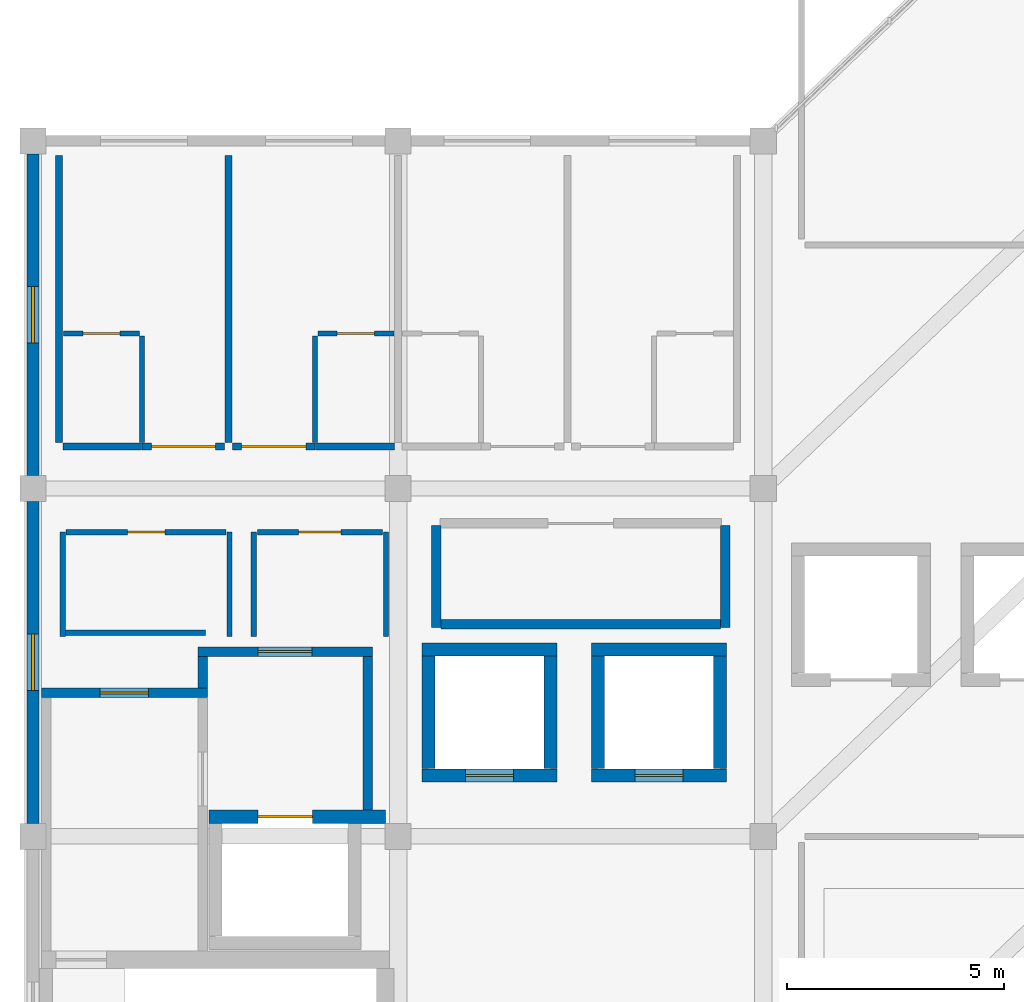
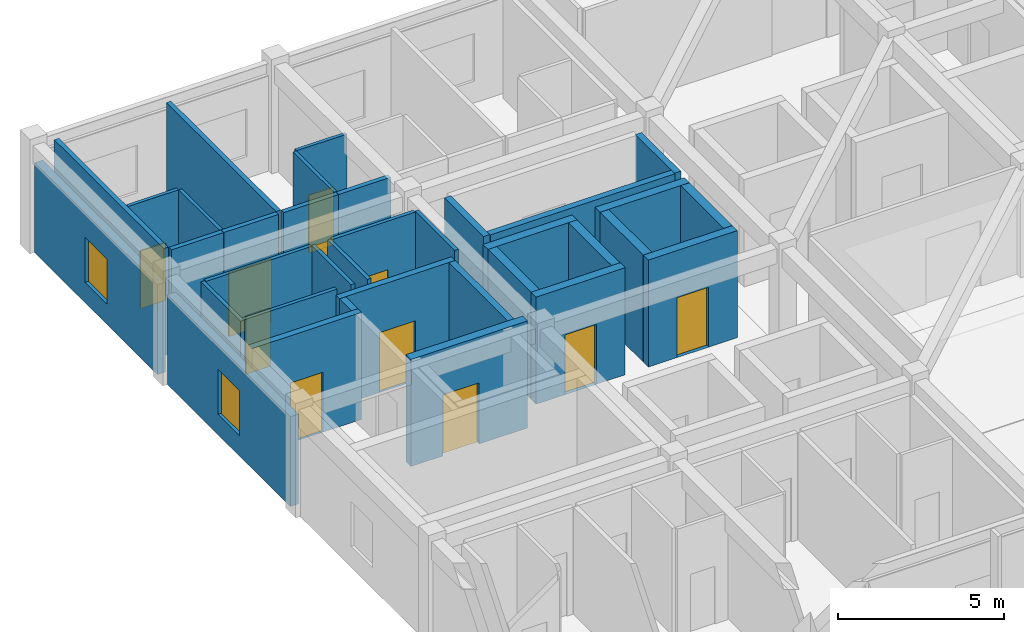
# One storey, part 8 of 11: 35 walls, 11 doors, 2 windows, 13 openings.
"""IFC4 building model written with IfcOpenShell, lengths in metres."""

from ifc_helpers import new_model, si_unit, direction, frame, frame_2d, origin, place, context, subcontext, project, spatial, rectangle, extrude, material, layer, layer_set, type_object, element, fill, save


model = new_model("IFC4")

# Units and contexts
model_context = context("Model", 3, precision=1e-05, world=origin(), true_north=direction((0.0, 1.0)))
body_context = subcontext(model_context, "Body", "Model", "MODEL_VIEW")
ifc_project = project(units=[si_unit("LENGTHUNIT", "METRE"), si_unit("AREAUNIT", "SQUARE_METRE"), si_unit("VOLUMEUNIT", "CUBIC_METRE"), si_unit("PLANEANGLEUNIT", "RADIAN"), si_unit("MASSUNIT", "GRAM", prefix="KILO")], contexts=[model_context])

# Site, building, storey
site_placement = place(None, origin())
site = spatial("IfcSite", under=ifc_project, at=site_placement, CompositionType="ELEMENT")
building_placement = place(site_placement, origin())
building = spatial("IfcBuilding", under=site, at=building_placement, Name="Naruveol Harbour Congress Hotel", CompositionType="ELEMENT")
storey_placement = place(building_placement, frame((0.0, 0.0, 47.39990234375)))
storey = spatial("IfcBuildingStorey", under=building, at=storey_placement, Name="L11", CompositionType="ELEMENT", Elevation=47.39990234375)

# Wall, opening, window
ifc_material_1 = material(Name="Precast concrete C40/50", Category="concrete")
ifc_layer_1 = layer(ifc_material_1, 0.280029296875)
ifc_layer_set_1 = layer_set([ifc_layer_1], Name="Precast concrete C40/50")
wall_type_1 = type_object("IfcWallType", Name="ARCHITECTURAL PRECAST FACADE WALL 280", PredefinedType="SOLIDWALL", material=ifc_layer_set_1)
wall_1_placement = place(storey_placement, frame((126.0, 16.300048828125, 0.0), z_axis=(0.0, 0.0, 1.0), x_axis=(0.0, 1.0, 0.0)))
wall_1 = element("IfcWall", 1, at=wall_1_placement, inside=storey, type_object=wall_type_1, Name="Hotel west gable wall L11 EW-280", PredefinedType="SOLIDWALL", context=body_context, shape_type="SweptSolid", body=[
    extrude(rectangle(XDim=7.39990234375, YDim=0.280029296875, at=frame_2d((3.699951171875, 0.0))), origin(), (0.0, 0.0, 1.0), 3.300048828125),
])
opening_1_placement = place(wall_1_placement, frame((3.050048828125, 0.0, 0.75)))
opening_1 = element("IfcOpeningElement", 2, at=opening_1_placement, cuts=wall_1, Name="Opening W-27", PredefinedType="OPENING", context=body_context, shape_type="SweptSolid", body=[
    extrude(rectangle(XDim=1.300048828125, YDim=1.64990234375, at=frame_2d((0.64990234375, 0.824951171875))), frame((0.0, 0.14990234375, 0.0), z_axis=(0.0, -1.0, 0.0), x_axis=(1.0, 0.0, 0.0)), (0.0, 0.0, 1.0), 0.300048828125),
])
ifc_material_2 = material(Name="Low-E Triple Glazing in Thermal Aluminium", Category="aluminium")
window_type = type_object("IfcWindowType", Name="READING SALON TALL WINDOW 1300X1650", PartitioningType="SINGLE_PANEL", PredefinedType="WINDOW", material=ifc_material_2)
window_1_placement = place(opening_1_placement, origin())
window_1 = element("IfcWindow", 3, at=window_1_placement, inside=storey, type_object=window_type, Name="Window W-27 #516", OverallHeight=1.64990234375, OverallWidth=1.300048828125, PartitioningType="SINGLE_PANEL", PredefinedType="WINDOW", context=body_context, shape_type="SweptSolid", body=[
    extrude(rectangle(XDim=1.300048828125, YDim=1.64990234375, at=frame_2d((0.64990234375, 0.824951171875))), frame((0.0, 0.030029296875, 0.0), z_axis=(0.0, -1.0, 0.0), x_axis=(1.0, 0.0, 0.0)), (0.0, 0.0, 1.0), 0.06005859375),
])
fill(opening_1, window_1)

wall_2_placement = place(storey_placement, frame((126.0, 24.300048828125, 0.0), z_axis=(0.0, 0.0, 1.0), x_axis=(0.0, 1.0, 0.0)))
wall_2 = element("IfcWall", 4, at=wall_2_placement, inside=storey, type_object=wall_type_1, Name="Hotel west gable wall L11 EW-280", PredefinedType="SOLIDWALL", context=body_context, shape_type="SweptSolid", body=[
    extrude(rectangle(XDim=7.39990234375, YDim=0.280029296875, at=frame_2d((3.699951171875, 0.0))), origin(), (0.0, 0.0, 1.0), 3.300048828125),
])
opening_2_placement = place(wall_2_placement, frame((3.050048828125, 0.0, 0.75)))
opening_2 = element("IfcOpeningElement", 5, at=opening_2_placement, cuts=wall_2, Name="Opening W-27", PredefinedType="OPENING", context=body_context, shape_type="SweptSolid", body=[
    extrude(rectangle(XDim=1.300048828125, YDim=1.64990234375, at=frame_2d((0.64990234375, 0.824951171875))), frame((0.0, 0.14990234375, 0.0), z_axis=(0.0, -1.0, 0.0), x_axis=(1.0, 0.0, 0.0)), (0.0, 0.0, 1.0), 0.300048828125),
])
window_2_placement = place(opening_2_placement, origin())
window_2 = element("IfcWindow", 6, at=window_2_placement, inside=storey, type_object=window_type, Name="Window W-27 #517", OverallHeight=1.64990234375, OverallWidth=1.300048828125, PartitioningType="SINGLE_PANEL", PredefinedType="WINDOW", context=body_context, shape_type="SweptSolid", body=[
    extrude(rectangle(XDim=1.300048828125, YDim=1.64990234375, at=frame_2d((0.64990234375, 0.824951171875))), frame((0.0, 0.030029296875, 0.0), z_axis=(0.0, -1.0, 0.0), x_axis=(1.0, 0.0, 0.0)), (0.0, 0.0, 1.0), 0.06005859375),
])
fill(opening_2, window_2)

# Wall
ifc_material_3 = material(Name="Moisture-Resistant Gypsum Partition", Category="gypsum")
ifc_layer_2 = layer(ifc_material_3, 0.114990234375)
ifc_layer_set_2 = layer_set([ifc_layer_2], Name="Moisture-Resistant Gypsum Partition")
wall_type_2 = type_object("IfcWallType", Name="BATHROOM MOISTURE PARTITION WALL 115", PredefinedType="PARTITIONING", material=ifc_layer_set_2)
wall_3_placement = place(storey_placement, frame((128.510009765625, 25.06005859375, 0.0), z_axis=(0.0, 0.0, 1.0), x_axis=(0.0, 1.0, 0.0)))
element("IfcWall", 7, at=wall_3_placement, inside=storey, type_object=wall_type_2, Name="Bathroom east wall 1209 PW-115", PredefinedType="PARTITIONING", context=body_context, shape_type="SweptSolid", body=[
    extrude(rectangle(XDim=2.449951171875, YDim=0.114990234375, at=frame_2d((1.22509765625, 0.0))), origin(), (0.0, 0.0, 1.0), 3.93505859375),
])

# Wall, opening, door
wall_4_placement = place(storey_placement, frame((126.699951171875, 27.570068359375, 0.0), z_axis=(0.0, 0.0, 1.0), x_axis=(1.0, 0.0, 0.0)))
wall_4 = element("IfcWall", 8, at=wall_4_placement, inside=storey, type_object=wall_type_2, Name="Bathroom north wall 1209 PW-115", PredefinedType="PARTITIONING", context=body_context, shape_type="SweptSolid", body=[
    extrude(rectangle(XDim=1.75, YDim=0.114990234375, at=frame_2d((0.875, 0.0))), origin(), (0.0, 0.0, 1.0), 3.93505859375),
])
opening_3_placement = place(wall_4_placement, frame((0.445068359375, 0.0, 0.0)))
opening_3 = element("IfcOpeningElement", 9, at=opening_3_placement, cuts=wall_4, Name="Opening BD-RM1209", PredefinedType="OPENING", context=body_context, shape_type="SweptSolid", body=[
    extrude(rectangle(XDim=0.860107421875, YDim=2.1201171875, at=frame_2d((0.43017578125, 1.06005859375))), frame((0.0, 0.0673828125, 0.0), z_axis=(0.0, -1.0, 0.0), x_axis=(1.0, 0.0, 0.0)), (0.0, 0.0, 1.0), 0.135009765625),
])
ifc_material_4 = material(Name="Timber & Steel Acoustic Leaf", Category="steel")
door_type_1 = type_object("IfcDoorType", Name="GUEST BATHROOM DOOR 860X2120", OperationType="NOTDEFINED", PredefinedType="DOOR", material=ifc_material_4)
door_1_placement = place(opening_3_placement, origin())
door_1 = element("IfcDoor", 10, at=door_1_placement, inside=storey, type_object=door_type_1, Name="Bathroom Door 1209", OperationType="SINGLE_SWING_LEFT", OverallHeight=2.1201171875, OverallWidth=0.860107421875, PredefinedType="DOOR", context=body_context, shape_type="SweptSolid", body=[
    extrude(rectangle(XDim=0.860107421875, YDim=2.1201171875, at=frame_2d((0.43017578125, 1.06005859375))), frame((0.0, 0.02490234375, 0.0), z_axis=(0.0, -1.0, 0.0), x_axis=(1.0, 0.0, 0.0)), (0.0, 0.0, 1.0), 0.050048828125),
])
fill(opening_3, door_1)

# Wall
wall_5_placement = place(storey_placement, frame((132.489990234375, 25.06005859375, 0.0), z_axis=(0.0, 0.0, 1.0), x_axis=(0.0, 1.0, 0.0)))
element("IfcWall", 11, at=wall_5_placement, inside=storey, type_object=wall_type_2, Name="Bathroom west wall 1210 PW-115", PredefinedType="PARTITIONING", context=body_context, shape_type="SweptSolid", body=[
    extrude(rectangle(XDim=2.449951171875, YDim=0.114990234375, at=frame_2d((1.22509765625, 0.0))), origin(), (0.0, 0.0, 1.0), 3.93505859375),
])

# Wall, opening, door
wall_6_placement = place(storey_placement, frame((132.550048828125, 27.570068359375, 0.0), z_axis=(0.0, 0.0, 1.0), x_axis=(1.0, 0.0, 0.0)))
wall_6 = element("IfcWall", 12, at=wall_6_placement, inside=storey, type_object=wall_type_2, Name="Bathroom north wall 1210 PW-115", PredefinedType="PARTITIONING", context=body_context, shape_type="SweptSolid", body=[
    extrude(rectangle(XDim=1.75, YDim=0.114990234375, at=frame_2d((0.875, 0.0))), origin(), (0.0, 0.0, 1.0), 3.93505859375),
])
opening_4_placement = place(wall_6_placement, frame((0.445068359375, 0.0, 0.0)))
opening_4 = element("IfcOpeningElement", 13, at=opening_4_placement, cuts=wall_6, Name="Opening BD-RM1210", PredefinedType="OPENING", context=body_context, shape_type="SweptSolid", body=[
    extrude(rectangle(XDim=0.860107421875, YDim=2.1201171875, at=frame_2d((0.43017578125, 1.06005859375))), frame((0.0, 0.0673828125, 0.0), z_axis=(0.0, -1.0, 0.0), x_axis=(1.0, 0.0, 0.0)), (0.0, 0.0, 1.0), 0.135009765625),
])
door_2_placement = place(opening_4_placement, origin())
door_2 = element("IfcDoor", 14, at=door_2_placement, inside=storey, type_object=door_type_1, Name="Bathroom Door 1210", OperationType="SINGLE_SWING_RIGHT", OverallHeight=2.1201171875, OverallWidth=0.860107421875, PredefinedType="DOOR", context=body_context, shape_type="SweptSolid", body=[
    extrude(rectangle(XDim=0.860107421875, YDim=2.1201171875, at=frame_2d((0.43017578125, 1.06005859375))), frame((0.0, 0.02490234375, 0.0), z_axis=(0.0, -1.0, 0.0), x_axis=(1.0, 0.0, 0.0)), (0.0, 0.0, 1.0), 0.050048828125),
])
fill(opening_4, door_2)

ifc_material_5 = material(Name="Concrete C40/50", Category="concrete")
ifc_layer_3 = layer(ifc_material_5, 0.219970703125)
ifc_layer_set_3 = layer_set([ifc_layer_3], Name="Concrete C40/50")
wall_type_3 = type_object("IfcWallType", Name="FIRE COMPARTMENT AND LOBBY WALL 220 EI120", PredefinedType="PARTITIONING", material=ifc_layer_set_3)
wall_7_placement = place(storey_placement, frame((126.18994140625, 19.300048828125, 0.0), z_axis=(0.0, 0.0, 1.0), x_axis=(1.0, 0.0, 0.0)))
wall_7 = element("IfcWall", 15, at=wall_7_placement, inside=storey, type_object=wall_type_3, Name="Smoke vestibule ST1 north wall FW-220", PredefinedType="PARTITIONING", context=body_context, shape_type="SweptSolid", body=[
    extrude(rectangle(XDim=3.820068359375, YDim=0.219970703125, at=frame_2d((1.91015625, 0.0))), origin(), (0.0, 0.0, 1.0), 3.93505859375),
])
opening_5_placement = place(wall_7_placement, frame((1.35009765625, 0.0, 0.0)))
opening_5 = element("IfcOpeningElement", 16, at=opening_5_placement, cuts=wall_7, Name="Opening FD-ST1-V-L11", PredefinedType="OPENING", context=body_context, shape_type="SweptSolid", body=[
    extrude(rectangle(XDim=1.1201171875, YDim=2.199951171875, at=frame_2d((0.56005859375, 1.10009765625))), frame((0.0, 0.119873046875, 0.0), z_axis=(0.0, -1.0, 0.0), x_axis=(1.0, 0.0, 0.0)), (0.0, 0.0, 1.0), 0.239990234375),
])
ifc_material_6 = material(Name="Timber & Steel Acoustic Leaf", Category="steel")
door_type_2 = type_object("IfcDoorType", Name="VESTIBULE SMOKE CONTROL FIRE DOOR 1120X2200", OperationType="NOTDEFINED", PredefinedType="DOOR", material=ifc_material_6)
door_3_placement = place(opening_5_placement, origin())
door_3 = element("IfcDoor", 17, at=door_3_placement, inside=storey, type_object=door_type_2, Name="Smoke Vestibule Entry Door ST1 L11", OperationType="SINGLE_SWING_LEFT", OverallHeight=2.199951171875, OverallWidth=1.1201171875, PredefinedType="DOOR", context=body_context, shape_type="SweptSolid", body=[
    extrude(rectangle(XDim=1.1201171875, YDim=2.199951171875, at=frame_2d((0.56005859375, 1.10009765625))), frame((0.0, 0.02490234375, 0.0), z_axis=(0.0, -1.0, 0.0), x_axis=(1.0, 0.0, 0.0)), (0.0, 0.0, 1.0), 0.050048828125),
])
fill(opening_5, door_3)

# Walls
wall_8_placement = place(storey_placement, frame((129.89990234375, 19.4150390625, 0.0), z_axis=(0.0, 0.0, 1.0), x_axis=(0.0, 1.0, 0.0)))
element("IfcWall", 18, at=wall_8_placement, inside=storey, type_object=wall_type_3, Name="Firefighting lift lobby ST1 upper west wall FW-220", PredefinedType="PARTITIONING", context=body_context, shape_type="SweptSolid", body=[
    extrude(rectangle(XDim=0.719970703125, YDim=0.219970703125, at=frame_2d((0.35986328125, 0.0))), origin(), (0.0, 0.0, 1.0), 3.93505859375),
])
wall_9_placement = place(storey_placement, frame((133.699951171875, 16.60498046875, 0.0), z_axis=(0.0, 0.0, 1.0), x_axis=(0.0, 1.0, 0.0)))
element("IfcWall", 19, at=wall_9_placement, inside=storey, type_object=wall_type_3, Name="Firefighting lift lobby ST1 east wall FW-220", PredefinedType="PARTITIONING", context=body_context, shape_type="SweptSolid", body=[
    extrude(rectangle(XDim=3.530029296875, YDim=0.219970703125, at=frame_2d((1.76513671875, 0.0))), origin(), (0.0, 0.0, 1.0), 3.93505859375),
])

# Wall, opening, door
wall_10_placement = place(storey_placement, frame((129.7900390625, 20.25, 0.0), z_axis=(0.0, 0.0, 1.0), x_axis=(1.0, 0.0, 0.0)))
wall_10 = element("IfcWall", 20, at=wall_10_placement, inside=storey, type_object=wall_type_3, Name="Firefighting lift lobby ST1 north wall FW-220", PredefinedType="PARTITIONING", context=body_context, shape_type="SweptSolid", body=[
    extrude(rectangle(XDim=4.02001953125, YDim=0.219970703125, at=frame_2d((2.010009765625, 0.0))), origin(), (0.0, 0.0, 1.0), 3.93505859375),
])
opening_6_placement = place(wall_10_placement, frame((1.389892578125, 0.0, 0.0)))
opening_6 = element("IfcOpeningElement", 21, at=opening_6_placement, cuts=wall_10, Name="Opening FD-FFC-ST1-L11", PredefinedType="OPENING", context=body_context, shape_type="SweptSolid", body=[
    extrude(rectangle(XDim=1.239990234375, YDim=2.199951171875, at=frame_2d((0.6201171875, 1.10009765625))), frame((0.0, 0.119873046875, 0.0), z_axis=(0.0, -1.0, 0.0), x_axis=(1.0, 0.0, 0.0)), (0.0, 0.0, 1.0), 0.239990234375),
])
ifc_material_7 = material(Name="Timber & Steel Acoustic Leaf", Category="steel")
door_type_3 = type_object("IfcDoorType", Name="FIREFIGHTING LOBBY FIRE DOOR 1240X2200", OperationType="NOTDEFINED", PredefinedType="DOOR", material=ifc_material_7)
door_4_placement = place(opening_6_placement, origin())
door_4 = element("IfcDoor", 22, at=door_4_placement, inside=storey, type_object=door_type_3, Name="Firefighting Lobby Corridor Door ST1 L11", OperationType="SINGLE_SWING_LEFT", OverallHeight=2.199951171875, OverallWidth=1.239990234375, PredefinedType="DOOR", context=body_context, shape_type="SweptSolid", body=[
    extrude(rectangle(XDim=1.239990234375, YDim=2.199951171875, at=frame_2d((0.6201171875, 1.10009765625))), frame((0.0, 0.02490234375, 0.0), z_axis=(0.0, -1.0, 0.0), x_axis=(1.0, 0.0, 0.0)), (0.0, 0.0, 1.0), 0.050048828125),
])
fill(opening_6, door_4)

# Walls
for number, where, z_axis, x_axis, name in (
    (23, (135.280029296875, 20.800048828125, 0.0), (0.0, 0.0, 1.0), (0.0, 1.0, 0.0), "Sky Culinary Show Kitchen west enclosure partition FW-220"),
    (24, (141.919921875, 20.800048828125, 0.0), (0.0, 0.0, 1.0), (0.0, 1.0, 0.0), "Sky Culinary Show Kitchen east enclosure partition FW-220"),
):
    element("IfcWall", number, at=place(storey_placement, frame(where, z_axis=z_axis, x_axis=x_axis)), inside=storey, type_object=wall_type_3, Name=name, PredefinedType="PARTITIONING", context=body_context, shape_type="SweptSolid", body=[
        extrude(rectangle(XDim=2.347900390625, YDim=0.219970703125, at=frame_2d((1.173828125, 0.0))), origin(), (0.0, 0.0, 1.0), 3.93505859375),
    ])
wall_11_placement = place(storey_placement, frame((135.389892578125, 20.8798828125, 0.0), z_axis=(0.0, 0.0, 1.0), x_axis=(1.0, 0.0, 0.0)))
element("IfcWall", 25, at=wall_11_placement, inside=storey, type_object=wall_type_3, Name="Sky Culinary Show Kitchen south enclosure partition FW-220", PredefinedType="PARTITIONING", context=body_context, shape_type="SweptSolid", body=[
    extrude(rectangle(XDim=6.420166015625, YDim=0.219970703125, at=frame_2d((3.2099609375, 0.0))), origin(), (0.0, 0.0, 1.0), 3.93505859375),
])
ifc_material_8 = material(Name="Autoclaved Aerated Concrete Block", Category="concrete")
ifc_layer_4 = layer(ifc_material_8, 0.159912109375)
ifc_layer_set_4 = layer_set([ifc_layer_4], Name="Autoclaved Aerated Concrete Block")
wall_type_4 = type_object("IfcWallType", Name="HOTEL PARTY AND CORRIDOR WALL 160 EI60", PredefinedType="PARTITIONING", material=ifc_layer_set_4)
wall_12_placement = place(storey_placement, frame((126.68994140625, 24.969970703125, 0.0), z_axis=(0.0, 0.0, 1.0), x_axis=(1.0, 0.0, 0.0)))
element("IfcWall", 26, at=wall_12_placement, inside=storey, type_object=wall_type_4, Name="Corridor wall 1209B PW-160", PredefinedType="PARTITIONING", context=body_context, shape_type="SweptSolid", body=[
    extrude(rectangle(XDim=1.81005859375, YDim=0.159912109375, at=frame_2d((0.905029296875, 0.0))), origin(), (0.0, 0.0, 1.0), 3.93505859375),
])

# Wall, opening, door
wall_13_placement = place(storey_placement, frame((128.510009765625, 24.969970703125, 0.0), z_axis=(0.0, 0.0, 1.0), x_axis=(1.0, 0.0, 0.0)))
wall_13 = element("IfcWall", 27, at=wall_13_placement, inside=storey, type_object=wall_type_4, Name="Corridor entry wall 1209 PW-160", PredefinedType="PARTITIONING", context=body_context, shape_type="SweptSolid", body=[
    extrude(rectangle(XDim=1.89990234375, YDim=0.159912109375, at=frame_2d((0.949951171875, 0.0))), origin(), (0.0, 0.0, 1.0), 3.93505859375),
])
opening_7_placement = place(wall_13_placement, frame((0.2099609375, 0.0, 0.0)))
opening_7 = element("IfcOpeningElement", 28, at=opening_7_placement, cuts=wall_13, Name="Opening FD-RM1209", PredefinedType="OPENING", context=body_context, shape_type="SweptSolid", body=[
    extrude(rectangle(XDim=1.47998046875, YDim=2.35009765625, at=frame_2d((0.739990234375, 1.175048828125))), frame((0.0, 0.08984375, 0.0), z_axis=(0.0, -1.0, 0.0), x_axis=(1.0, 0.0, 0.0)), (0.0, 0.0, 1.0), 0.179931640625),
])
ifc_material_9 = material(Name="Timber & Steel Acoustic Leaf", Category="steel")
door_type_4 = type_object("IfcDoorType", Name="PRESIDENTIAL SUITE DOUBLE FIRE DOOR 1480X2350", OperationType="DOUBLE_DOOR_SINGLE_SWING", PredefinedType="DOOR", material=ifc_material_9)
door_5_placement = place(opening_7_placement, origin())
door_5 = element("IfcDoor", 29, at=door_5_placement, inside=storey, type_object=door_type_4, Name="Hotel Room Door 1209", OperationType="DOUBLE_DOOR_SINGLE_SWING", OverallHeight=2.35009765625, OverallWidth=1.47998046875, PredefinedType="DOOR", context=body_context, shape_type="SweptSolid", body=[
    extrude(rectangle(XDim=1.47998046875, YDim=2.35009765625, at=frame_2d((0.739990234375, 1.175048828125))), frame((0.0, 0.02490234375, 0.0), z_axis=(0.0, -1.0, 0.0), x_axis=(1.0, 0.0, 0.0)), (0.0, 0.0, 1.0), 0.050048828125),
])
fill(opening_7, door_5)

# Wall
wall_14_placement = place(storey_placement, frame((126.60009765625, 25.06005859375, 0.0), z_axis=(0.0, 0.0, 1.0), x_axis=(0.0, 1.0, 0.0)))
element("IfcWall", 30, at=wall_14_placement, inside=storey, type_object=wall_type_4, Name="Hotel party wall 1209 PW-160", PredefinedType="PARTITIONING", context=body_context, shape_type="SweptSolid", body=[
    extrude(rectangle(XDim=6.599853515625, YDim=0.159912109375, at=frame_2d((3.2998046875, 0.0))), origin(), (0.0, 0.0, 1.0), 3.93505859375),
])

# Wall, opening, door
wall_15_placement = place(storey_placement, frame((130.590087890625, 24.969970703125, 0.0), z_axis=(0.0, 0.0, 1.0), x_axis=(1.0, 0.0, 0.0)))
wall_15 = element("IfcWall", 31, at=wall_15_placement, inside=storey, type_object=wall_type_4, Name="Corridor entry wall 1210 PW-160", PredefinedType="PARTITIONING", context=body_context, shape_type="SweptSolid", body=[
    extrude(rectangle(XDim=1.89990234375, YDim=0.159912109375, at=frame_2d((0.949951171875, 0.0))), origin(), (0.0, 0.0, 1.0), 3.93505859375),
])
opening_8_placement = place(wall_15_placement, frame((0.2099609375, 0.0, 0.0)))
opening_8 = element("IfcOpeningElement", 32, at=opening_8_placement, cuts=wall_15, Name="Opening FD-RM1210", PredefinedType="OPENING", context=body_context, shape_type="SweptSolid", body=[
    extrude(rectangle(XDim=1.47998046875, YDim=2.35009765625, at=frame_2d((0.739990234375, 1.175048828125))), frame((0.0, 0.08984375, 0.0), z_axis=(0.0, -1.0, 0.0), x_axis=(1.0, 0.0, 0.0)), (0.0, 0.0, 1.0), 0.179931640625),
])
door_6_placement = place(opening_8_placement, origin())
door_6 = element("IfcDoor", 33, at=door_6_placement, inside=storey, type_object=door_type_4, Name="Hotel Room Door 1210", OperationType="DOUBLE_DOOR_SINGLE_SWING", OverallHeight=2.35009765625, OverallWidth=1.47998046875, PredefinedType="DOOR", context=body_context, shape_type="SweptSolid", body=[
    extrude(rectangle(XDim=1.47998046875, YDim=2.35009765625, at=frame_2d((0.739990234375, 1.175048828125))), frame((0.0, 0.02490234375, 0.0), z_axis=(0.0, -1.0, 0.0), x_axis=(1.0, 0.0, 0.0)), (0.0, 0.0, 1.0), 0.050048828125),
])
fill(opening_8, door_6)

# Walls
wall_16_placement = place(storey_placement, frame((132.5, 24.969970703125, 0.0), z_axis=(0.0, 0.0, 1.0), x_axis=(1.0, 0.0, 0.0)))
element("IfcWall", 34, at=wall_16_placement, inside=storey, type_object=wall_type_4, Name="Corridor wall 1210B PW-160", PredefinedType="PARTITIONING", context=body_context, shape_type="SweptSolid", body=[
    extrude(rectangle(XDim=1.81005859375, YDim=0.159912109375, at=frame_2d((0.905029296875, 0.0))), origin(), (0.0, 0.0, 1.0), 3.93505859375),
])
wall_17_placement = place(storey_placement, frame((130.5, 25.06005859375, 0.0), z_axis=(0.0, 0.0, 1.0), x_axis=(0.0, 1.0, 0.0)))
element("IfcWall", 35, at=wall_17_placement, inside=storey, type_object=wall_type_4, Name="Hotel party wall 1210 PW-160", PredefinedType="PARTITIONING", context=body_context, shape_type="SweptSolid", body=[
    extrude(rectangle(XDim=6.599853515625, YDim=0.159912109375, at=frame_2d((3.2998046875, 0.0))), origin(), (0.0, 0.0, 1.0), 3.93505859375),
])

# Wall, opening, door
ifc_material_10 = material(Name="Concrete C50/60", Category="concrete")
ifc_layer_5 = layer(ifc_material_10, 0.300048828125)
ifc_layer_set_5 = layer_set([ifc_layer_5], Name="Concrete C50/60")
wall_type_5 = type_object("IfcWallType", Name="RC STAIR AND HOISTWAY SHEAR WALL 300 EI120", PredefinedType="SHEAR", material=ifc_layer_set_5)
wall_18_placement = place(storey_placement, frame((134.949951171875, 17.39990234375, 0.0), z_axis=(0.0, 0.0, 1.0), x_axis=(1.0, 0.0, 0.0)))
wall_18 = element("IfcWall", 36, at=wall_18_placement, inside=storey, type_object=wall_type_5, Name="Hoistway south shear wall PL1 SW-300", PredefinedType="SHEAR", context=body_context, shape_type="SweptSolid", body=[
    extrude(rectangle(XDim=3.10009765625, YDim=0.300048828125, at=frame_2d((1.550048828125, 0.0))), origin(), (0.0, 0.0, 1.0), 3.93505859375),
])
opening_9_placement = place(wall_18_placement, frame((1.0, 0.0, 0.0)))
opening_9 = element("IfcOpeningElement", 37, at=opening_9_placement, cuts=wall_18, Name="Opening LD-PL1-L11", PredefinedType="OPENING", context=body_context, shape_type="SweptSolid", body=[
    extrude(rectangle(XDim=1.10009765625, YDim=2.199951171875, at=frame_2d((0.550048828125, 1.10009765625))), frame((0.0, 0.159912109375, 0.0), z_axis=(0.0, -1.0, 0.0), x_axis=(1.0, 0.0, 0.0)), (0.0, 0.0, 1.0), 0.320068359375),
])
ifc_material_11 = material(Name="Stainless Steel Lift Door", Category="steel")
door_type_5 = type_object("IfcDoorType", Name="PASSENGER LIFT LANDING DOOR 1100X2200", OperationType="DOUBLE_DOOR_SLIDING", PredefinedType="DOOR", material=ifc_material_11)
door_7_placement = place(opening_9_placement, origin())
door_7 = element("IfcDoor", 38, at=door_7_placement, inside=storey, type_object=door_type_5, Name="Elevator Landing Door PL1 L11", OperationType="DOUBLE_DOOR_SLIDING", OverallHeight=2.199951171875, OverallWidth=1.10009765625, PredefinedType="DOOR", context=body_context, shape_type="SweptSolid", body=[
    extrude(rectangle(XDim=1.10009765625, YDim=2.199951171875, at=frame_2d((0.550048828125, 1.10009765625))), frame((0.0, 0.02490234375, 0.0), z_axis=(0.0, -1.0, 0.0), x_axis=(1.0, 0.0, 0.0)), (0.0, 0.0, 1.0), 0.050048828125),
])
fill(opening_9, door_7)

# Walls
wall_19_placement = place(storey_placement, frame((137.89990234375, 17.554931640625, 0.0), z_axis=(0.0, 0.0, 1.0), x_axis=(0.0, 1.0, 0.0)))
element("IfcWall", 39, at=wall_19_placement, inside=storey, type_object=wall_type_5, Name="Hoistway east shear wall PL1 SW-300", PredefinedType="SHEAR", context=body_context, shape_type="SweptSolid", body=[
    extrude(rectangle(XDim=2.590087890625, YDim=0.300048828125, at=frame_2d((1.294921875, 0.0))), origin(), (0.0, 0.0, 1.0), 3.93505859375),
])
wall_20_placement = place(storey_placement, frame((138.050048828125, 20.300048828125, 0.0), z_axis=(0.0, 0.0, 1.0), x_axis=(-1.0, 0.0, 0.0)))
element("IfcWall", 40, at=wall_20_placement, inside=storey, type_object=wall_type_5, Name="Hoistway north shear wall PL1 SW-300", PredefinedType="SHEAR", context=body_context, shape_type="SweptSolid", body=[
    extrude(rectangle(XDim=3.10009765625, YDim=0.300048828125, at=frame_2d((1.550048828125, 0.0))), origin(), (0.0, 0.0, 1.0), 3.93505859375),
])
wall_21_placement = place(storey_placement, frame((135.10009765625, 20.14501953125, 0.0), z_axis=(0.0, 0.0, 1.0), x_axis=(0.0, -1.0, 0.0)))
element("IfcWall", 41, at=wall_21_placement, inside=storey, type_object=wall_type_5, Name="Hoistway west shear wall PL1 SW-300", PredefinedType="SHEAR", context=body_context, shape_type="SweptSolid", body=[
    extrude(rectangle(XDim=2.590087890625, YDim=0.300048828125, at=frame_2d((1.294921875, 0.0))), origin(), (0.0, 0.0, 1.0), 3.93505859375),
])

# Wall, opening, door
wall_22_placement = place(storey_placement, frame((138.85009765625, 17.39990234375, 0.0), z_axis=(0.0, 0.0, 1.0), x_axis=(1.0, 0.0, 0.0)))
wall_22 = element("IfcWall", 42, at=wall_22_placement, inside=storey, type_object=wall_type_5, Name="Hoistway south shear wall PL2 SW-300", PredefinedType="SHEAR", context=body_context, shape_type="SweptSolid", body=[
    extrude(rectangle(XDim=3.099853515625, YDim=0.300048828125, at=frame_2d((1.5498046875, 0.0))), origin(), (0.0, 0.0, 1.0), 3.93505859375),
])
opening_10_placement = place(wall_22_placement, frame((1.0, 0.0, 0.0)))
opening_10 = element("IfcOpeningElement", 43, at=opening_10_placement, cuts=wall_22, Name="Opening LD-PL2-L11", PredefinedType="OPENING", context=body_context, shape_type="SweptSolid", body=[
    extrude(rectangle(XDim=1.10009765625, YDim=2.199951171875, at=frame_2d((0.550048828125, 1.10009765625))), frame((0.0, 0.159912109375, 0.0), z_axis=(0.0, -1.0, 0.0), x_axis=(1.0, 0.0, 0.0)), (0.0, 0.0, 1.0), 0.320068359375),
])
door_8_placement = place(opening_10_placement, origin())
door_8 = element("IfcDoor", 44, at=door_8_placement, inside=storey, type_object=door_type_5, Name="Elevator Landing Door PL2 L11", OperationType="DOUBLE_DOOR_SLIDING", OverallHeight=2.199951171875, OverallWidth=1.10009765625, PredefinedType="DOOR", context=body_context, shape_type="SweptSolid", body=[
    extrude(rectangle(XDim=1.10009765625, YDim=2.199951171875, at=frame_2d((0.550048828125, 1.10009765625))), frame((0.0, 0.02490234375, 0.0), z_axis=(0.0, -1.0, 0.0), x_axis=(1.0, 0.0, 0.0)), (0.0, 0.0, 1.0), 0.050048828125),
])
fill(opening_10, door_8)

# Walls
wall_23_placement = place(storey_placement, frame((141.800048828125, 17.554931640625, 0.0), z_axis=(0.0, 0.0, 1.0), x_axis=(0.0, 1.0, 0.0)))
element("IfcWall", 45, at=wall_23_placement, inside=storey, type_object=wall_type_5, Name="Hoistway east shear wall PL2 SW-300", PredefinedType="SHEAR", context=body_context, shape_type="SweptSolid", body=[
    extrude(rectangle(XDim=2.590087890625, YDim=0.300048828125, at=frame_2d((1.294921875, 0.0))), origin(), (0.0, 0.0, 1.0), 3.93505859375),
])
wall_24_placement = place(storey_placement, frame((141.949951171875, 20.300048828125, 0.0), z_axis=(0.0, 0.0, 1.0), x_axis=(-1.0, 0.0, 0.0)))
element("IfcWall", 46, at=wall_24_placement, inside=storey, type_object=wall_type_5, Name="Hoistway north shear wall PL2 SW-300", PredefinedType="SHEAR", context=body_context, shape_type="SweptSolid", body=[
    extrude(rectangle(XDim=3.099853515625, YDim=0.300048828125, at=frame_2d((1.5498046875, 0.0))), origin(), (0.0, 0.0, 1.0), 3.93505859375),
])
wall_25_placement = place(storey_placement, frame((139.0, 20.14501953125, 0.0), z_axis=(0.0, 0.0, 1.0), x_axis=(0.0, -1.0, 0.0)))
element("IfcWall", 47, at=wall_25_placement, inside=storey, type_object=wall_type_5, Name="Hoistway west shear wall PL2 SW-300", PredefinedType="SHEAR", context=body_context, shape_type="SweptSolid", body=[
    extrude(rectangle(XDim=2.590087890625, YDim=0.300048828125, at=frame_2d((1.294921875, 0.0))), origin(), (0.0, 0.0, 1.0), 3.93505859375),
])

# Wall, opening, door
wall_26_placement = place(storey_placement, frame((134.110107421875, 16.449951171875, 0.0), z_axis=(0.0, 0.0, 1.0), x_axis=(-1.0, 0.0, 0.0)))
wall_26 = element("IfcWall", 48, at=wall_26_placement, inside=storey, type_object=wall_type_5, Name="Hoistway north shear wall FL1 SW-300", PredefinedType="SHEAR", context=body_context, shape_type="SweptSolid", body=[
    extrude(rectangle(XDim=4.06005859375, YDim=0.300048828125, at=frame_2d((2.030029296875, 0.0))), origin(), (0.0, 0.0, 1.0), 3.93505859375),
])
opening_11_placement = place(wall_26_placement, frame((1.68505859375, 0.0, 0.0)))
opening_11 = element("IfcOpeningElement", 49, at=opening_11_placement, cuts=wall_26, Name="Opening LD-FL1-L11", PredefinedType="OPENING", context=body_context, shape_type="SweptSolid", body=[
    extrude(rectangle(XDim=1.25, YDim=2.25, at=frame_2d((0.625, 1.125))), frame((0.0, 0.159912109375, 0.0), z_axis=(0.0, -1.0, 0.0), x_axis=(1.0, 0.0, 0.0)), (0.0, 0.0, 1.0), 0.320068359375),
])
ifc_material_12 = material(Name="Stainless Steel Lift Door", Category="steel")
door_type_6 = type_object("IfcDoorType", Name="FIREFIGHTING LIFT LANDING DOOR 1250X2250", OperationType="DOUBLE_DOOR_SLIDING", PredefinedType="DOOR", material=ifc_material_12)
door_9_placement = place(opening_11_placement, origin())
door_9 = element("IfcDoor", 50, at=door_9_placement, inside=storey, type_object=door_type_6, Name="Elevator Landing Door FL1 L11", OperationType="DOUBLE_DOOR_SLIDING", OverallHeight=2.25, OverallWidth=1.25, PredefinedType="DOOR", context=body_context, shape_type="SweptSolid", body=[
    extrude(rectangle(XDim=1.25, YDim=2.25, at=frame_2d((0.625, 1.125))), frame((0.0, 0.02490234375, 0.0), z_axis=(0.0, -1.0, 0.0), x_axis=(1.0, 0.0, 0.0)), (0.0, 0.0, 1.0), 0.050048828125),
])
fill(opening_11, door_9)

ifc_material_13 = material(Name="Acoustic Double Stud Gypsum", Category="gypsum")
ifc_layer_6 = layer(ifc_material_13, 0.125)
ifc_layer_set_6 = layer_set([ifc_layer_6], Name="Acoustic Double Stud Gypsum")
wall_type_6 = type_object("IfcWallType", Name="SERVICE CHASE PARTITION WALL 125", PredefinedType="PARTITIONING", material=ifc_layer_set_6)
wall_27_placement = place(storey_placement, frame((126.760009765625, 23.0, 0.0), z_axis=(0.0, 0.0, 1.0), x_axis=(1.0, 0.0, 0.0)))
wall_27 = element("IfcWall", 51, at=wall_27_placement, inside=storey, type_object=wall_type_6, Name="Public Restrooms north entry wall PW-125", PredefinedType="PARTITIONING", context=body_context, shape_type="SweptSolid", body=[
    extrude(rectangle(XDim=3.679931640625, YDim=0.125, at=frame_2d((1.83984375, 0.0))), origin(), (0.0, 0.0, 1.0), 3.93505859375),
])
opening_12_placement = place(wall_27_placement, frame((1.409912109375, 0.0, 0.0)))
opening_12 = element("IfcOpeningElement", 52, at=opening_12_placement, cuts=wall_27, Name="Opening BD-WC-L11-142", PredefinedType="OPENING", context=body_context, shape_type="SweptSolid", body=[
    extrude(rectangle(XDim=0.860107421875, YDim=2.1201171875, at=frame_2d((0.43017578125, 1.06005859375))), frame((0.0, 0.072509765625, 0.0), z_axis=(0.0, -1.0, 0.0), x_axis=(1.0, 0.0, 0.0)), (0.0, 0.0, 1.0), 0.14501953125),
])
door_10_placement = place(opening_12_placement, origin())
door_10 = element("IfcDoor", 53, at=door_10_placement, inside=storey, type_object=door_type_1, Name="Restroom Door L11", OperationType="SINGLE_SWING_RIGHT", OverallHeight=2.1201171875, OverallWidth=0.860107421875, PredefinedType="DOOR", context=body_context, shape_type="SweptSolid", body=[
    extrude(rectangle(XDim=0.860107421875, YDim=2.1201171875, at=frame_2d((0.43017578125, 1.06005859375))), frame((0.0, 0.02490234375, 0.0), z_axis=(0.0, -1.0, 0.0), x_axis=(1.0, 0.0, 0.0)), (0.0, 0.0, 1.0), 0.050048828125),
])
fill(opening_12, door_10)

wall_28_placement = place(storey_placement, frame((131.159912109375, 23.0, 0.0), z_axis=(0.0, 0.0, 1.0), x_axis=(1.0, 0.0, 0.0)))
wall_28 = element("IfcWall", 54, at=wall_28_placement, inside=storey, type_object=wall_type_6, Name="Accessible Restroom north entry wall PW-125", PredefinedType="PARTITIONING", context=body_context, shape_type="SweptSolid", body=[
    extrude(rectangle(XDim=2.880126953125, YDim=0.125, at=frame_2d((1.43994140625, 0.0))), origin(), (0.0, 0.0, 1.0), 3.93505859375),
])
opening_13_placement = place(wall_28_placement, frame((0.949951171875, 0.0, 0.0)))
opening_13 = element("IfcOpeningElement", 55, at=opening_13_placement, cuts=wall_28, Name="Opening BD-ACC-L11-143", PredefinedType="OPENING", context=body_context, shape_type="SweptSolid", body=[
    extrude(rectangle(XDim=0.97998046875, YDim=2.14990234375, at=frame_2d((0.489990234375, 1.074951171875))), frame((0.0, 0.072509765625, 0.0), z_axis=(0.0, -1.0, 0.0), x_axis=(1.0, 0.0, 0.0)), (0.0, 0.0, 1.0), 0.14501953125),
])
ifc_material_14 = material(Name="Timber & Steel Acoustic Leaf", Category="steel")
door_type_7 = type_object("IfcDoorType", Name="ACCESSIBLE RESTROOM DOOR 980X2150", OperationType="NOTDEFINED", PredefinedType="DOOR", material=ifc_material_14)
door_11_placement = place(opening_13_placement, origin())
door_11 = element("IfcDoor", 56, at=door_11_placement, inside=storey, type_object=door_type_7, Name="Accessible Restroom Door L11", OperationType="SINGLE_SWING_LEFT", OverallHeight=2.14990234375, OverallWidth=0.97998046875, PredefinedType="DOOR", context=body_context, shape_type="SweptSolid", body=[
    extrude(rectangle(XDim=0.97998046875, YDim=2.14990234375, at=frame_2d((0.489990234375, 1.074951171875))), frame((0.0, 0.02490234375, 0.0), z_axis=(0.0, -1.0, 0.0), x_axis=(1.0, 0.0, 0.0)), (0.0, 0.0, 1.0), 0.050048828125),
])
fill(opening_13, door_11)

# Walls
for number, where, z_axis, x_axis, name in (
    (57, (126.679931640625, 20.60009765625, 0.0), (0.0, 0.0, 1.0), (0.0, 1.0, 0.0), "Public Restrooms west enclosure partition PW-125"),
    (58, (130.52001953125, 20.60009765625, 0.0), (0.0, 0.0, 1.0), (0.0, 1.0, 0.0), "Public Restrooms east enclosure partition PW-125"),
):
    element("IfcWall", number, at=place(storey_placement, frame(where, z_axis=z_axis, x_axis=x_axis)), inside=storey, type_object=wall_type_6, Name=name, PredefinedType="PARTITIONING", context=body_context, shape_type="SweptSolid", body=[
        extrude(rectangle(XDim=2.39599609375, YDim=0.125, at=frame_2d((1.197998046875, 0.0))), origin(), (0.0, 0.0, 1.0), 3.93505859375),
    ])
wall_29_placement = place(storey_placement, frame((126.741943359375, 20.679931640625, 0.0), z_axis=(0.0, 0.0, 1.0), x_axis=(1.0, 0.0, 0.0)))
element("IfcWall", 59, at=wall_29_placement, inside=storey, type_object=wall_type_6, Name="Public Restrooms south enclosure partition PW-125", PredefinedType="PARTITIONING", context=body_context, shape_type="SweptSolid", body=[
    extrude(rectangle(XDim=3.22802734375, YDim=0.125, at=frame_2d((1.614013671875, 0.0))), origin(), (0.0, 0.0, 1.0), 3.93505859375),
])
for number, where, z_axis, x_axis, name in (
    (60, (131.080078125, 20.60009765625, 0.0), (0.0, 0.0, 1.0), (0.0, 1.0, 0.0), "Accessible Restroom west enclosure partition PW-125"),
    (61, (134.1201171875, 20.60009765625, 0.0), (0.0, 0.0, 1.0), (0.0, 1.0, 0.0), "Accessible Restroom east enclosure partition PW-125"),
):
    element("IfcWall", number, at=place(storey_placement, frame(where, z_axis=z_axis, x_axis=x_axis)), inside=storey, type_object=wall_type_6, Name=name, PredefinedType="PARTITIONING", context=body_context, shape_type="SweptSolid", body=[
        extrude(rectangle(XDim=2.39599609375, YDim=0.125, at=frame_2d((1.197998046875, 0.0))), origin(), (0.0, 0.0, 1.0), 3.93505859375),
    ])

save(model, "model.ifc")
